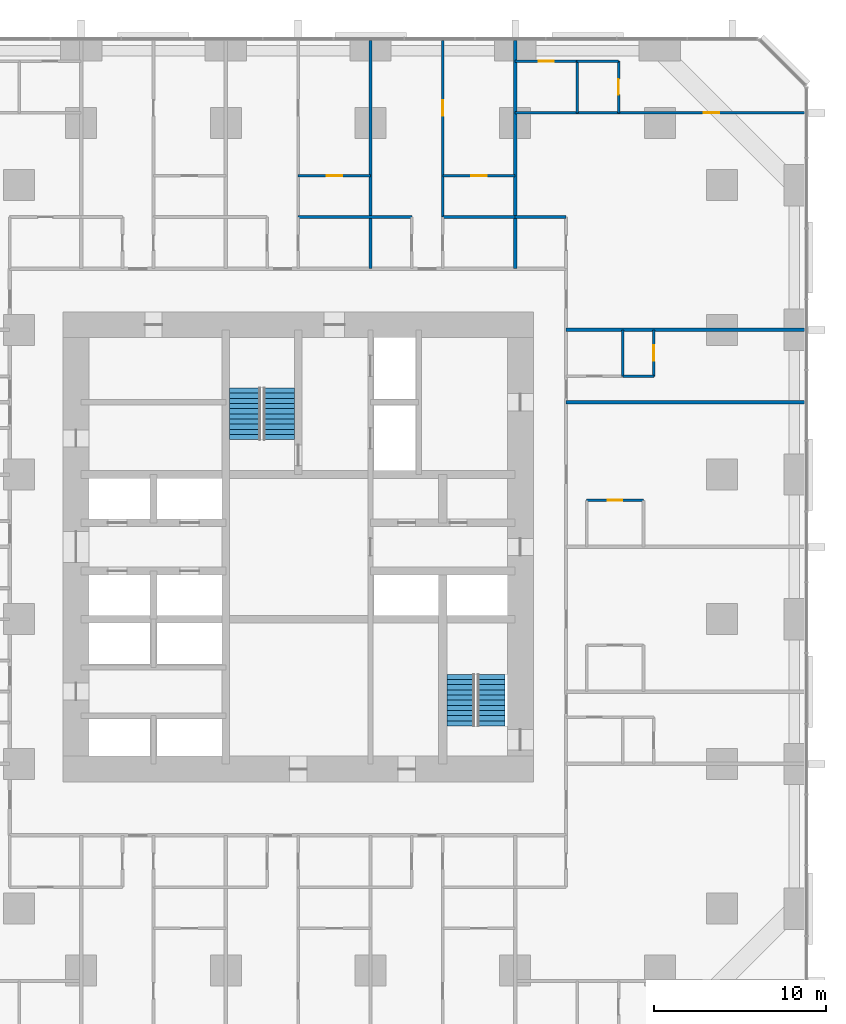
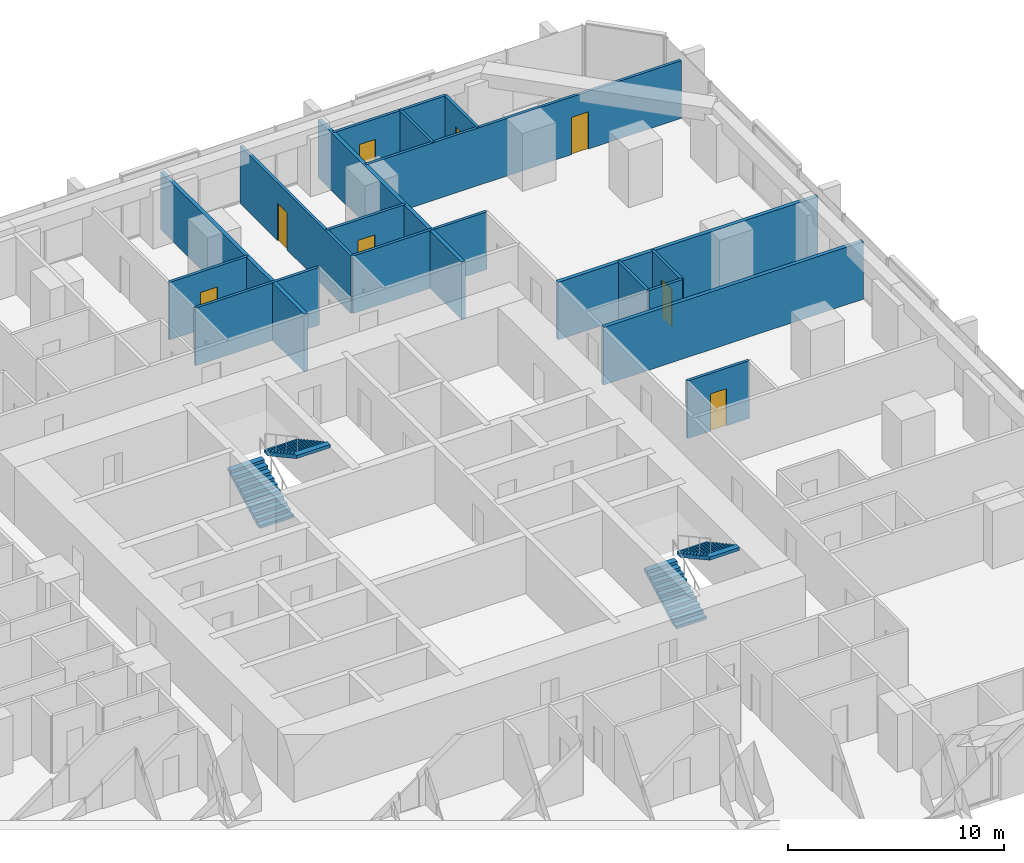
# One storey, part 16 of 17: 19 walls, 8 doors, 4 stair flights, 8 openings, 2 elements without a shape of their own.
"""IFC4 building model written with IfcOpenShell, lengths in metres."""

from ifc_helpers import new_model, si_unit, direction, frame, frame_2d, origin, place, context, subcontext, project, spatial, polyline, rectangle, outline, extrude, material, layer, layer_set, type_object, element, fill, aggregate, save


model = new_model("IFC4")

# Units and contexts
model_context = context("Model", 3, precision=1e-05, world=origin(), true_north=direction((0.0, 1.0)))
body_context = subcontext(model_context, "Body", "Model", "MODEL_VIEW")
ifc_project = project(units=[si_unit("LENGTHUNIT", "METRE"), si_unit("AREAUNIT", "SQUARE_METRE"), si_unit("VOLUMEUNIT", "CUBIC_METRE"), si_unit("PLANEANGLEUNIT", "RADIAN"), si_unit("MASSUNIT", "GRAM", prefix="KILO")], contexts=[model_context])

# Site, building, storey
site_placement = place(None, origin())
site = spatial("IfcSite", under=ifc_project, at=site_placement, CompositionType="ELEMENT")
building_placement = place(site_placement, origin())
building = spatial("IfcBuilding", under=site, at=building_placement, Name="Dunama Terrace Hotel", CompositionType="ELEMENT")
storey_placement = place(building_placement, frame((0.0, 0.0, 52.199951171875)))
storey = spatial("IfcBuildingStorey", under=building, at=storey_placement, Name="L12", CompositionType="ELEMENT", Elevation=52.199951171875)

# Wall, opening, door
ifc_material_1 = material(Name="Gypsum board partition", Category="masonry")
ifc_layer_1 = layer(ifc_material_1, 0.14990234375)
ifc_layer_set_1 = layer_set([ifc_layer_1], Name="Bathroom partition 150")
wall_type_1 = type_object("IfcWallType", Name="Bathroom partition 150", PredefinedType="PARTITIONING", material=ifc_layer_set_1)
wall_1_placement = place(storey_placement, frame((46.14990234375, 32.10009765625, 0.0), z_axis=(0.0, 0.0, 1.0), x_axis=(1.0, 0.0, 0.0)))
wall_1 = element("IfcWall", 1, at=wall_1_placement, inside=storey, type_object=wall_type_1, Name="Bathroom partition 150 L12", PredefinedType="PARTITIONING", context=body_context, shape_type="SweptSolid", body=[
    extrude(rectangle(XDim=3.300048828125, YDim=0.14990234375, at=frame_2d((1.64990234375, 0.0))), origin(), (0.0, 0.0, 1.0), 3.25),
])
opening_1_placement = place(wall_1_placement, frame((1.22509765625, 0.0, 0.0)))
opening_1 = element("IfcOpeningElement", 2, at=opening_1_placement, cuts=wall_1, Name="Opening L12-030", PredefinedType="OPENING", context=body_context, shape_type="SweptSolid", body=[
    extrude(rectangle(XDim=0.85009765625, YDim=2.10009765625, at=frame_2d((0.425048828125, 1.050048828125))), frame((0.0, 0.0849609375, 0.0), z_axis=(0.0, -1.0, 0.0), x_axis=(1.0, 0.0, 0.0)), (0.0, 0.0, 1.0), 0.169921875),
])
ifc_material_2 = material(Name="Timber door with steel frame", Category="steel")
door_type_1 = type_object("IfcDoorType", Name="Bathroom door 850", OperationType="SINGLE_SWING_LEFT", PredefinedType="DOOR", material=ifc_material_2)
door_1_placement = place(opening_1_placement, frame((0.85009765625, 0.0, 0.0), z_axis=(0.0, 0.0, 1.0), x_axis=(-1.0, 0.0, 0.0)))
door_1 = element("IfcDoor", 3, at=door_1_placement, inside=storey, type_object=door_type_1, Name="Door to en-suite bathroom L12-030, type D2", OperationType="SINGLE_SWING_RIGHT", OverallHeight=2.10009765625, OverallWidth=0.85009765625, PredefinedType="DOOR", context=body_context, shape_type="SweptSolid", body=[
    extrude(rectangle(XDim=0.85009765625, YDim=2.10009765625, at=frame_2d((0.425048828125, 1.050048828125))), frame((0.0, 0.025146484375, 0.0), z_axis=(0.0, -1.0, 0.0), x_axis=(1.0, 0.0, 0.0)), (0.0, 0.0, 1.0), 0.050048828125),
])
fill(opening_1, door_1)

# Wall
wall_2_placement = place(storey_placement, frame((42.0, 48.550048828125, 0.0), z_axis=(0.0, 0.0, 1.0), x_axis=(1.0, 0.0, 0.0)))
element("IfcWall", 4, at=wall_2_placement, inside=storey, type_object=wall_type_1, Name="Bathroom partition 150 L12", PredefinedType="PARTITIONING", context=body_context, shape_type="SweptSolid", body=[
    extrude(rectangle(XDim=2.949951171875, YDim=0.14990234375, at=frame_2d((1.47509765625, 0.0))), origin(), (0.0, 0.0, 1.0), 3.25),
])

# Wall, opening, door
wall_3_placement = place(storey_placement, frame((42.0, 57.60009765625, 0.0), z_axis=(0.0, 0.0, 1.0), x_axis=(1.0, 0.0, 0.0)))
wall_3 = element("IfcWall", 5, at=wall_3_placement, inside=storey, type_object=wall_type_1, Name="Bathroom partition 150 L12", PredefinedType="PARTITIONING", context=body_context, shape_type="SweptSolid", body=[
    extrude(rectangle(XDim=3.60009765625, YDim=0.14990234375, at=frame_2d((1.800048828125, 0.0))), origin(), (0.0, 0.0, 1.0), 3.25),
])
opening_2_placement = place(wall_3_placement, frame((1.375, 0.0, 0.0)))
opening_2 = element("IfcOpeningElement", 6, at=opening_2_placement, cuts=wall_3, Name="Opening L12-080", PredefinedType="OPENING", context=body_context, shape_type="SweptSolid", body=[
    extrude(rectangle(XDim=0.85009765625, YDim=2.10009765625, at=frame_2d((0.425048828125, 1.050048828125))), frame((0.0, 0.0849609375, 0.0), z_axis=(0.0, -1.0, 0.0), x_axis=(1.0, 0.0, 0.0)), (0.0, 0.0, 1.0), 0.169921875),
])
door_2_placement = place(opening_2_placement, frame((0.85009765625, 0.0, 0.0), z_axis=(0.0, 0.0, 1.0), x_axis=(-1.0, 0.0, 0.0)))
door_2 = element("IfcDoor", 7, at=door_2_placement, inside=storey, type_object=door_type_1, Name="Door to en-suite bathroom L12-080, type D2", OperationType="SINGLE_SWING_RIGHT", OverallHeight=2.10009765625, OverallWidth=0.85009765625, PredefinedType="DOOR", context=body_context, shape_type="SweptSolid", body=[
    extrude(rectangle(XDim=0.85009765625, YDim=2.10009765625, at=frame_2d((0.425048828125, 1.050048828125))), frame((0.0, 0.025146484375, 0.0), z_axis=(0.0, -1.0, 0.0), x_axis=(1.0, 0.0, 0.0)), (0.0, 0.0, 1.0), 0.050048828125),
])
fill(opening_2, door_2)

# Walls
ifc_material_3 = material(Name="Concrete blockwork", Category="masonry")
ifc_layer_2 = layer(ifc_material_3, 0.199951171875)
ifc_layer_set_2 = layer_set([ifc_layer_2], Name="Party wall 200")
wall_type_2 = type_object("IfcWallType", Name="Party wall 200", PredefinedType="PARTITIONING", material=ifc_layer_set_2)
for number, where, z_axis, x_axis, name in (
    (8, (33.60009765625, 45.550048828125, 0.0), (0.0, 0.0, 1.0), (0.0, 1.0, 0.0), "Party wall 200 L12"),
    (9, (42.0, 45.550048828125, 0.0), (0.0, 0.0, 1.0), (0.0, 1.0, 0.0), "Party wall 200 L12"),
):
    element("IfcWall", number, at=place(storey_placement, frame(where, z_axis=z_axis, x_axis=x_axis)), inside=storey, type_object=wall_type_2, Name=name, PredefinedType="PARTITIONING", context=body_context, shape_type="SweptSolid", body=[
        extrude(rectangle(XDim=13.258056640625, YDim=0.199951171875, at=frame_2d((6.62890625, 0.0))), origin(), (0.0, 0.0, 1.0), 3.25),
    ])
for number, where, z_axis, x_axis, name in (
    (10, (44.949951171875, 37.800048828125, 0.0), (0.0, 0.0, 1.0), (1.0, 0.0, 0.0), "Party wall 200 L12"),
    (11, (44.949951171875, 42.0, 0.0), (0.0, 0.0, 1.0), (1.0, 0.0, 0.0), "Party wall 200 L12"),
):
    element("IfcWall", number, at=place(storey_placement, frame(where, z_axis=z_axis, x_axis=x_axis)), inside=storey, type_object=wall_type_2, Name=name, PredefinedType="PARTITIONING", context=body_context, shape_type="SweptSolid", body=[
        extrude(rectangle(XDim=13.858154296875, YDim=0.199951171875, at=frame_2d((6.92919921875, 0.0))), origin(), (0.0, 0.0, 1.0), 3.25),
    ])

# Wall, opening, door
ifc_material_4 = material(Name="Gypsum board partition", Category="masonry")
ifc_layer_3 = layer(ifc_material_4, 0.14990234375)
ifc_layer_set_3 = layer_set([ifc_layer_3], Name="Room partition 150")
wall_type_3 = type_object("IfcWallType", Name="Room partition 150", PredefinedType="PARTITIONING", material=ifc_layer_set_3)
wall_4_placement = place(storey_placement, frame((37.800048828125, 48.550048828125, 0.0), z_axis=(0.0, 0.0, 1.0), x_axis=(0.0, 1.0, 0.0)))
wall_4 = element("IfcWall", 12, at=wall_4_placement, inside=storey, type_object=wall_type_3, Name="Room partition 150 L12", PredefinedType="PARTITIONING", context=body_context, shape_type="SweptSolid", body=[
    extrude(rectangle(XDim=10.258056640625, YDim=0.14990234375, at=frame_2d((5.12890625, 0.0))), origin(), (0.0, 0.0, 1.0), 3.25),
])
opening_3_placement = place(wall_4_placement, frame((5.875, 0.0, 0.0)))
opening_3 = element("IfcOpeningElement", 13, at=opening_3_placement, cuts=wall_4, Name="Opening L12-048", PredefinedType="OPENING", context=body_context, shape_type="SweptSolid", body=[
    extrude(rectangle(XDim=0.89990234375, YDim=2.10009765625, at=frame_2d((0.449951171875, 1.050048828125))), frame((0.0, 0.0849609375, 0.0), z_axis=(0.0, -1.0, 0.0), x_axis=(1.0, 0.0, 0.0)), (0.0, 0.0, 1.0), 0.169921875),
])
ifc_material_5 = material(Name="Timber door with steel frame", Category="steel")
door_type_2 = type_object("IfcDoorType", Name="Suite internal door 900", OperationType="SINGLE_SWING_LEFT", PredefinedType="DOOR", material=ifc_material_5)
door_3_placement = place(opening_3_placement, frame((0.89990234375, 0.0, 0.0), z_axis=(0.0, 0.0, 1.0), x_axis=(-1.0, 0.0, 0.0)))
door_3 = element("IfcDoor", 14, at=door_3_placement, inside=storey, type_object=door_type_2, Name="Door to residence bedroom L12-048, type D16", OperationType="SINGLE_SWING_RIGHT", OverallHeight=2.10009765625, OverallWidth=0.89990234375, PredefinedType="DOOR", context=body_context, shape_type="SweptSolid", body=[
    extrude(rectangle(XDim=0.89990234375, YDim=2.10009765625, at=frame_2d((0.449951171875, 1.050048828125))), frame((0.0, 0.025146484375, 0.0), z_axis=(0.0, -1.0, 0.0), x_axis=(1.0, 0.0, 0.0)), (0.0, 0.0, 1.0), 0.050048828125),
])
fill(opening_3, door_3)

# Wall
wall_5_placement = place(storey_placement, frame((45.60009765625, 54.60009765625, 0.0), z_axis=(0.0, 0.0, 1.0), x_axis=(0.0, 1.0, 0.0)))
element("IfcWall", 15, at=wall_5_placement, inside=storey, type_object=wall_type_3, Name="Room partition 150 L12", PredefinedType="PARTITIONING", context=body_context, shape_type="SweptSolid", body=[
    extrude(rectangle(XDim=3.0, YDim=0.14990234375, at=frame_2d((1.5, 0.0))), origin(), (0.0, 0.0, 1.0), 3.25),
])

# Wall, opening, door
wall_6_placement = place(storey_placement, frame((48.0, 54.60009765625, 0.0), z_axis=(0.0, 0.0, 1.0), x_axis=(0.0, 1.0, 0.0)))
wall_6 = element("IfcWall", 16, at=wall_6_placement, inside=storey, type_object=wall_type_3, Name="Room partition 150 L12", PredefinedType="PARTITIONING", context=body_context, shape_type="SweptSolid", body=[
    extrude(rectangle(XDim=3.0, YDim=0.14990234375, at=frame_2d((1.5, 0.0))), origin(), (0.0, 0.0, 1.0), 3.25),
])
opening_4_placement = place(wall_6_placement, frame((1.050048828125, 0.0, 0.0)))
opening_4 = element("IfcOpeningElement", 17, at=opening_4_placement, cuts=wall_6, Name="Opening L12-081", PredefinedType="OPENING", context=body_context, shape_type="SweptSolid", body=[
    extrude(rectangle(XDim=0.89990234375, YDim=2.10009765625, at=frame_2d((0.449951171875, 1.050048828125))), frame((0.0, 0.0849609375, 0.0), z_axis=(0.0, -1.0, 0.0), x_axis=(1.0, 0.0, 0.0)), (0.0, 0.0, 1.0), 0.169921875),
])
door_4_placement = place(opening_4_placement, origin())
door_4 = element("IfcDoor", 18, at=door_4_placement, inside=storey, type_object=door_type_2, Name="Door to dressing room L12-081, type D16", OperationType="SINGLE_SWING_LEFT", OverallHeight=2.10009765625, OverallWidth=0.89990234375, PredefinedType="DOOR", context=body_context, shape_type="SweptSolid", body=[
    extrude(rectangle(XDim=0.89990234375, YDim=2.10009765625, at=frame_2d((0.449951171875, 1.050048828125))), frame((0.0, 0.02490234375, 0.0), z_axis=(0.0, -1.0, 0.0), x_axis=(1.0, 0.0, 0.0)), (0.0, 0.0, 1.0), 0.050048828125),
])
fill(opening_4, door_4)

# Wall
wall_7_placement = place(storey_placement, frame((48.25, 39.300048828125, 0.0), z_axis=(0.0, 0.0, 1.0), x_axis=(0.0, 1.0, 0.0)))
element("IfcWall", 19, at=wall_7_placement, inside=storey, type_object=wall_type_3, Name="Room partition 150 L12", PredefinedType="PARTITIONING", context=body_context, shape_type="SweptSolid", body=[
    extrude(rectangle(XDim=2.699951171875, YDim=0.14990234375, at=frame_2d((1.35009765625, 0.0))), origin(), (0.0, 0.0, 1.0), 3.25),
])

# Wall, opening, door
wall_8_placement = place(storey_placement, frame((50.050048828125, 39.300048828125, 0.0), z_axis=(0.0, 0.0, 1.0), x_axis=(0.0, 1.0, 0.0)))
wall_8 = element("IfcWall", 20, at=wall_8_placement, inside=storey, type_object=wall_type_3, Name="Room partition 150 L12", PredefinedType="PARTITIONING", context=body_context, shape_type="SweptSolid", body=[
    extrude(rectangle(XDim=2.699951171875, YDim=0.14990234375, at=frame_2d((1.35009765625, 0.0))), origin(), (0.0, 0.0, 1.0), 3.25),
])
opening_5_placement = place(wall_8_placement, frame((0.89990234375, 0.0, 0.0)))
opening_5 = element("IfcOpeningElement", 21, at=opening_5_placement, cuts=wall_8, Name="Opening L12-033", PredefinedType="OPENING", context=body_context, shape_type="SweptSolid", body=[
    extrude(rectangle(XDim=0.89990234375, YDim=2.10009765625, at=frame_2d((0.449951171875, 1.050048828125))), frame((0.0, 0.0849609375, 0.0), z_axis=(0.0, -1.0, 0.0), x_axis=(1.0, 0.0, 0.0)), (0.0, 0.0, 1.0), 0.169921875),
])
door_5_placement = place(opening_5_placement, origin())
door_5 = element("IfcDoor", 22, at=door_5_placement, inside=storey, type_object=door_type_2, Name="Door to walk-in wardrobe L12-033, type D16", OperationType="SINGLE_SWING_RIGHT", OverallHeight=2.10009765625, OverallWidth=0.89990234375, PredefinedType="DOOR", context=body_context, shape_type="SweptSolid", body=[
    extrude(rectangle(XDim=0.89990234375, YDim=2.10009765625, at=frame_2d((0.449951171875, 1.050048828125))), frame((0.0, 0.02490234375, 0.0), z_axis=(0.0, -1.0, 0.0), x_axis=(1.0, 0.0, 0.0)), (0.0, 0.0, 1.0), 0.050048828125),
])
fill(opening_5, door_5)

# Walls
wall_9_placement = place(storey_placement, frame((48.25, 39.300048828125, 0.0), z_axis=(0.0, 0.0, 1.0), x_axis=(1.0, 0.0, 0.0)))
element("IfcWall", 23, at=wall_9_placement, inside=storey, type_object=wall_type_3, Name="Room partition 150 L12", PredefinedType="PARTITIONING", context=body_context, shape_type="SweptSolid", body=[
    extrude(rectangle(XDim=1.800048828125, YDim=0.14990234375, at=frame_2d((0.89990234375, 0.0))), origin(), (0.0, 0.0, 1.0), 3.25),
])
wall_10_placement = place(storey_placement, frame((29.39990234375, 48.550048828125, 0.0), z_axis=(0.0, 0.0, 1.0), x_axis=(1.0, 0.0, 0.0)))
element("IfcWall", 24, at=wall_10_placement, inside=storey, type_object=wall_type_3, Name="Room partition 150 L12", PredefinedType="PARTITIONING", context=body_context, shape_type="SweptSolid", body=[
    extrude(rectangle(XDim=6.60009765625, YDim=0.14990234375, at=frame_2d((3.300048828125, 0.0))), origin(), (0.0, 0.0, 1.0), 3.25),
])
wall_11_placement = place(storey_placement, frame((37.800048828125, 48.550048828125, 0.0), z_axis=(0.0, 0.0, 1.0), x_axis=(1.0, 0.0, 0.0)))
element("IfcWall", 25, at=wall_11_placement, inside=storey, type_object=wall_type_3, Name="Room partition 150 L12", PredefinedType="PARTITIONING", context=body_context, shape_type="SweptSolid", body=[
    extrude(rectangle(XDim=4.199951171875, YDim=0.14990234375, at=frame_2d((2.10009765625, 0.0))), origin(), (0.0, 0.0, 1.0), 3.25),
])

# Wall, opening, door
wall_12_placement = place(storey_placement, frame((29.39990234375, 50.949951171875, 0.0), z_axis=(0.0, 0.0, 1.0), x_axis=(1.0, 0.0, 0.0)))
wall_12 = element("IfcWall", 26, at=wall_12_placement, inside=storey, type_object=wall_type_3, Name="Room partition 150 L12", PredefinedType="PARTITIONING", context=body_context, shape_type="SweptSolid", body=[
    extrude(rectangle(XDim=4.2001953125, YDim=0.14990234375, at=frame_2d((2.10009765625, 0.0))), origin(), (0.0, 0.0, 1.0), 3.25),
])
opening_6_placement = place(wall_12_placement, frame((1.64990234375, 0.0, 0.0)))
opening_6 = element("IfcOpeningElement", 27, at=opening_6_placement, cuts=wall_12, Name="Opening L12-042", PredefinedType="OPENING", context=body_context, shape_type="SweptSolid", body=[
    extrude(rectangle(XDim=0.89990234375, YDim=2.10009765625, at=frame_2d((0.449951171875, 1.050048828125))), frame((0.0, 0.0849609375, 0.0), z_axis=(0.0, -1.0, 0.0), x_axis=(1.0, 0.0, 0.0)), (0.0, 0.0, 1.0), 0.169921875),
])
door_6_placement = place(opening_6_placement, frame((0.89990234375, 0.0, 0.0), z_axis=(0.0, 0.0, 1.0), x_axis=(-1.0, 0.0, 0.0)))
door_6 = element("IfcDoor", 28, at=door_6_placement, inside=storey, type_object=door_type_2, Name="Door to walk-in wardrobe L12-042, type D16", OperationType="SINGLE_SWING_RIGHT", OverallHeight=2.10009765625, OverallWidth=0.89990234375, PredefinedType="DOOR", context=body_context, shape_type="SweptSolid", body=[
    extrude(rectangle(XDim=0.89990234375, YDim=2.10009765625, at=frame_2d((0.449951171875, 1.050048828125))), frame((0.0, 0.025146484375, 0.0), z_axis=(0.0, -1.0, 0.0), x_axis=(1.0, 0.0, 0.0)), (0.0, 0.0, 1.0), 0.050048828125),
])
fill(opening_6, door_6)

wall_13_placement = place(storey_placement, frame((37.800048828125, 50.949951171875, 0.0), z_axis=(0.0, 0.0, 1.0), x_axis=(1.0, 0.0, 0.0)))
wall_13 = element("IfcWall", 29, at=wall_13_placement, inside=storey, type_object=wall_type_3, Name="Room partition 150 L12", PredefinedType="PARTITIONING", context=body_context, shape_type="SweptSolid", body=[
    extrude(rectangle(XDim=4.199951171875, YDim=0.14990234375, at=frame_2d((2.10009765625, 0.0))), origin(), (0.0, 0.0, 1.0), 3.25),
])
opening_7_placement = place(wall_13_placement, frame((1.64990234375, 0.0, 0.0)))
opening_7 = element("IfcOpeningElement", 30, at=opening_7_placement, cuts=wall_13, Name="Opening L12-047", PredefinedType="OPENING", context=body_context, shape_type="SweptSolid", body=[
    extrude(rectangle(XDim=0.89990234375, YDim=2.10009765625, at=frame_2d((0.449951171875, 1.050048828125))), frame((0.0, 0.0849609375, 0.0), z_axis=(0.0, -1.0, 0.0), x_axis=(1.0, 0.0, 0.0)), (0.0, 0.0, 1.0), 0.169921875),
])
door_7_placement = place(opening_7_placement, frame((0.89990234375, 0.0, 0.0), z_axis=(0.0, 0.0, 1.0), x_axis=(-1.0, 0.0, 0.0)))
door_7 = element("IfcDoor", 31, at=door_7_placement, inside=storey, type_object=door_type_2, Name="Door to walk-in wardrobe L12-047, type D16", OperationType="SINGLE_SWING_RIGHT", OverallHeight=2.10009765625, OverallWidth=0.89990234375, PredefinedType="DOOR", context=body_context, shape_type="SweptSolid", body=[
    extrude(rectangle(XDim=0.89990234375, YDim=2.10009765625, at=frame_2d((0.449951171875, 1.050048828125))), frame((0.0, 0.025146484375, 0.0), z_axis=(0.0, -1.0, 0.0), x_axis=(1.0, 0.0, 0.0)), (0.0, 0.0, 1.0), 0.050048828125),
])
fill(opening_7, door_7)

wall_14_placement = place(storey_placement, frame((42.0, 54.60009765625, 0.0), z_axis=(0.0, 0.0, 1.0), x_axis=(1.0, 0.0, 0.0)))
wall_14 = element("IfcWall", 32, at=wall_14_placement, inside=storey, type_object=wall_type_3, Name="Room partition 150 L12", PredefinedType="PARTITIONING", context=body_context, shape_type="SweptSolid", body=[
    extrude(rectangle(XDim=16.80810546875, YDim=0.14990234375, at=frame_2d((8.404052734375, 0.0))), origin(), (0.0, 0.0, 1.0), 3.25),
])
opening_8_placement = place(wall_14_placement, frame((10.949951171875, 0.0, 0.0)))
opening_8 = element("IfcOpeningElement", 33, at=opening_8_placement, cuts=wall_14, Name="Opening L12-079", PredefinedType="OPENING", context=body_context, shape_type="SweptSolid", body=[
    extrude(rectangle(XDim=0.89990234375, YDim=2.10009765625, at=frame_2d((0.449951171875, 1.050048828125))), frame((0.0, 0.0849609375, 0.0), z_axis=(0.0, -1.0, 0.0), x_axis=(1.0, 0.0, 0.0)), (0.0, 0.0, 1.0), 0.169921875),
])
door_8_placement = place(opening_8_placement, origin())
door_8 = element("IfcDoor", 34, at=door_8_placement, inside=storey, type_object=door_type_2, Name="Door to corner suite bedroom L12-079, type D16", OperationType="SINGLE_SWING_LEFT", OverallHeight=2.10009765625, OverallWidth=0.89990234375, PredefinedType="DOOR", context=body_context, shape_type="SweptSolid", body=[
    extrude(rectangle(XDim=0.89990234375, YDim=2.10009765625, at=frame_2d((0.449951171875, 1.050048828125))), frame((0.0, 0.02490234375, 0.0), z_axis=(0.0, -1.0, 0.0), x_axis=(1.0, 0.0, 0.0)), (0.0, 0.0, 1.0), 0.050048828125),
])
fill(opening_8, door_8)

# Wall
wall_15_placement = place(storey_placement, frame((45.60009765625, 57.60009765625, 0.0), z_axis=(0.0, 0.0, 1.0), x_axis=(1.0, 0.0, 0.0)))
element("IfcWall", 35, at=wall_15_placement, inside=storey, type_object=wall_type_3, Name="Room partition 150 L12", PredefinedType="PARTITIONING", context=body_context, shape_type="SweptSolid", body=[
    extrude(rectangle(XDim=2.39990234375, YDim=0.14990234375, at=frame_2d((1.199951171875, 0.0))), origin(), (0.0, 0.0, 1.0), 3.25),
])

# Stair, stair flights
ifc_material_6 = material(Name="Concrete C40/50", Category="concrete")
stair_type_1 = type_object("IfcStairType", Name="Stair ST1-3600-1800", PredefinedType="HALF_TURN_STAIR", material=ifc_material_6)
stair_1_placement = place(storey_placement, origin())
stair_1 = element("IfcStair", 36, at=stair_1_placement, inside=storey, type_object=stair_type_1, Name="Stair ST1 L12", PredefinedType="HALF_TURN_STAIR")
ifc_material_7 = material(Name="Concrete C40/50", Category="concrete")
stair_flight_type_1 = type_object("IfcStairFlightType", Name="Stair flight ST1-3600-1800", PredefinedType="STRAIGHT", material=ifc_material_7)
stair_flight_1_placement = place(storey_placement, frame((26.324951171875, 35.625, 0.0), z_axis=(0.0, 0.0, 1.0), x_axis=(0.0, 1.0, 0.0)))
stair_flight_1 = element("IfcStairFlight", 37, at=stair_flight_1_placement, type_object=stair_flight_type_1, Name="ST1 flight 1", NumberOfRisers=11, NumberOfTreads=10, PredefinedType="STRAIGHT", RiserHeight=0.163636364, TreadLength=0.3, context=body_context, shape_type="SweptSolid", body=[
    extrude(outline(polyline([(0.0, 0.0), (0.0, 0.16357421875), (0.300048828125, 0.16357421875), (0.300048828125, 0.327392578125), (0.60009765625, 0.327392578125), (0.60009765625, 0.490966796875), (0.89990234375, 0.490966796875), (0.89990234375, 0.654541015625), (1.199951171875, 0.654541015625), (1.199951171875, 0.818115234375), (1.5, 0.818115234375), (1.5, 0.98193359375), (1.800048828125, 0.98193359375), (1.800048828125, 1.1455078125), (2.10009765625, 1.1455078125), (2.10009765625, 1.30908203125), (2.39990234375, 1.30908203125), (2.39990234375, 1.47265625), (2.699951171875, 1.47265625), (2.699951171875, 1.636474609375), (3.0, 1.636474609375), (3.0, 1.800048828125), (3.0, 1.465576171875), (0.31298828125, 0.0), (0.0, 0.0)])), frame((0.0, 0.89990234375, 0.0), z_axis=(0.0, -1.0, 0.0), x_axis=(1.0, 0.0, 0.0)), (0.0, 0.0, 1.0), 1.800048828125),
])
stair_flight_2_placement = place(storey_placement, frame((28.27490234375, 38.625, 1.800048828125), z_axis=(0.0, 0.0, 1.0), x_axis=(0.0, -1.0, 0.0)))
stair_flight_2 = element("IfcStairFlight", 38, at=stair_flight_2_placement, type_object=stair_flight_type_1, Name="ST1 flight 2", NumberOfRisers=11, NumberOfTreads=10, PredefinedType="STRAIGHT", RiserHeight=0.163636364, TreadLength=0.3, context=body_context, shape_type="SweptSolid", body=[
    extrude(outline(polyline([(0.0, 0.0), (0.0, 0.16357421875), (0.300048828125, 0.16357421875), (0.300048828125, 0.327392578125), (0.60009765625, 0.327392578125), (0.60009765625, 0.490966796875), (0.89990234375, 0.490966796875), (0.89990234375, 0.654541015625), (1.199951171875, 0.654541015625), (1.199951171875, 0.818115234375), (1.5, 0.818115234375), (1.5, 0.98193359375), (1.800048828125, 0.98193359375), (1.800048828125, 1.1455078125), (2.10009765625, 1.1455078125), (2.10009765625, 1.30908203125), (2.39990234375, 1.30908203125), (2.39990234375, 1.47265625), (2.699951171875, 1.47265625), (2.699951171875, 1.636474609375), (3.0, 1.636474609375), (3.0, 1.800048828125), (3.0, 1.465576171875), (0.31298828125, 0.0), (0.0, 0.0)])), frame((0.0, 0.89990234375, 0.0), z_axis=(0.0, -1.0, 0.0), x_axis=(1.0, 0.0, 0.0)), (0.0, 0.0, 1.0), 1.800048828125),
])
aggregate(stair_1, [stair_flight_1, stair_flight_2])

ifc_material_8 = material(Name="Concrete C40/50", Category="concrete")
stair_type_2 = type_object("IfcStairType", Name="Stair ST2-3600-1600", PredefinedType="HALF_TURN_STAIR", material=ifc_material_8)
stair_2_placement = place(storey_placement, origin())
stair_2 = element("IfcStair", 39, at=stair_2_placement, inside=storey, type_object=stair_type_2, Name="Stair ST2 L12", PredefinedType="HALF_TURN_STAIR")
ifc_material_9 = material(Name="Concrete C40/50", Category="concrete")
stair_flight_type_2 = type_object("IfcStairFlightType", Name="Stair flight ST2-3600-1600", PredefinedType="STRAIGHT", material=ifc_material_9)
stair_flight_3_placement = place(storey_placement, frame((38.85009765625, 19.0, 0.0), z_axis=(0.0, 0.0, 1.0), x_axis=(0.0, 1.0, 0.0)))
stair_flight_3 = element("IfcStairFlight", 40, at=stair_flight_3_placement, type_object=stair_flight_type_2, Name="ST2 flight 1", NumberOfRisers=11, NumberOfTreads=10, PredefinedType="STRAIGHT", RiserHeight=0.163636364, TreadLength=0.3, context=body_context, shape_type="SweptSolid", body=[
    extrude(outline(polyline([(0.0, 0.0), (0.0, 0.16357421875), (0.300048828125, 0.16357421875), (0.300048828125, 0.327392578125), (0.60009765625, 0.327392578125), (0.60009765625, 0.490966796875), (0.89990234375, 0.490966796875), (0.89990234375, 0.654541015625), (1.199951171875, 0.654541015625), (1.199951171875, 0.818115234375), (1.5, 0.818115234375), (1.5, 0.98193359375), (1.800048828125, 0.98193359375), (1.800048828125, 1.1455078125), (2.10009765625, 1.1455078125), (2.10009765625, 1.30908203125), (2.39990234375, 1.30908203125), (2.39990234375, 1.47265625), (2.699951171875, 1.47265625), (2.699951171875, 1.636474609375), (3.0, 1.636474609375), (3.0, 1.800048828125), (3.0, 1.465576171875), (0.31298828125, 0.0), (0.0, 0.0)])), frame((0.0, 0.800048828125, 0.0), z_axis=(0.0, -1.0, 0.0), x_axis=(1.0, 0.0, 0.0)), (0.0, 0.0, 1.0), 1.60009765625),
])
stair_flight_4_placement = place(storey_placement, frame((40.60009765625, 22.0, 1.800048828125), z_axis=(0.0, 0.0, 1.0), x_axis=(0.0, -1.0, 0.0)))
stair_flight_4 = element("IfcStairFlight", 41, at=stair_flight_4_placement, type_object=stair_flight_type_2, Name="ST2 flight 2", NumberOfRisers=11, NumberOfTreads=10, PredefinedType="STRAIGHT", RiserHeight=0.163636364, TreadLength=0.3, context=body_context, shape_type="SweptSolid", body=[
    extrude(outline(polyline([(0.0, 0.0), (0.0, 0.16357421875), (0.300048828125, 0.16357421875), (0.300048828125, 0.327392578125), (0.60009765625, 0.327392578125), (0.60009765625, 0.490966796875), (0.89990234375, 0.490966796875), (0.89990234375, 0.654541015625), (1.199951171875, 0.654541015625), (1.199951171875, 0.818115234375), (1.5, 0.818115234375), (1.5, 0.98193359375), (1.800048828125, 0.98193359375), (1.800048828125, 1.1455078125), (2.10009765625, 1.1455078125), (2.10009765625, 1.30908203125), (2.39990234375, 1.30908203125), (2.39990234375, 1.47265625), (2.699951171875, 1.47265625), (2.699951171875, 1.636474609375), (3.0, 1.636474609375), (3.0, 1.800048828125), (3.0, 1.465576171875), (0.31298828125, 0.0), (0.0, 0.0)])), frame((0.0, 0.800048828125, 0.0), z_axis=(0.0, -1.0, 0.0), x_axis=(1.0, 0.0, 0.0)), (0.0, 0.0, 1.0), 1.60009765625),
])
aggregate(stair_2, [stair_flight_3, stair_flight_4])

save(model, "model.ifc")
